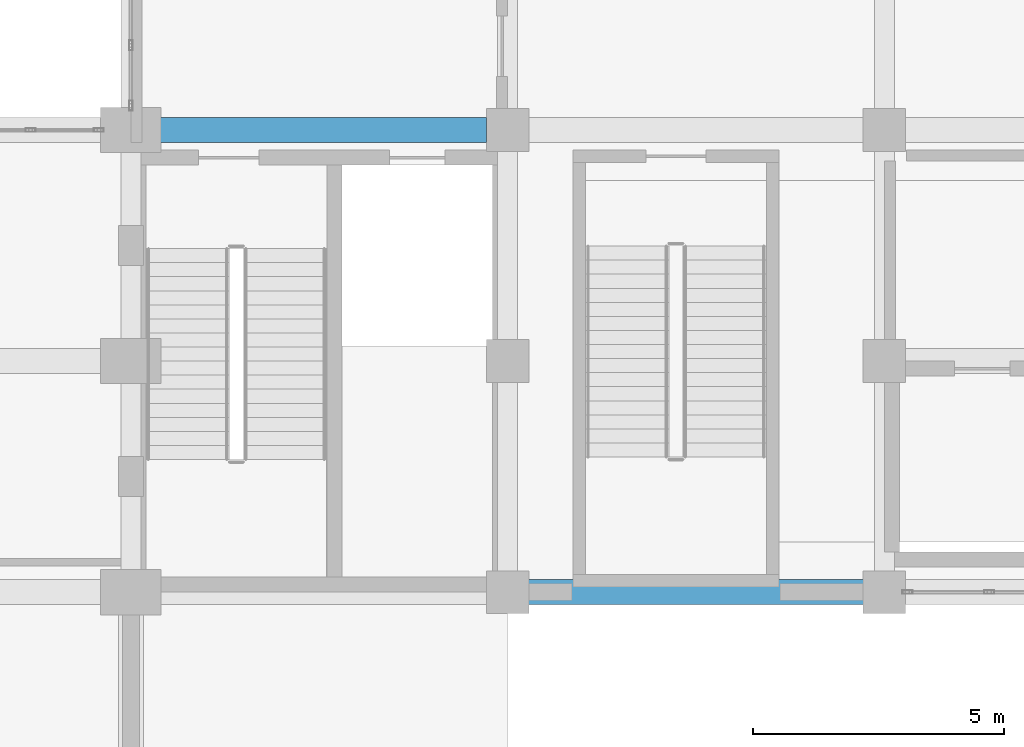
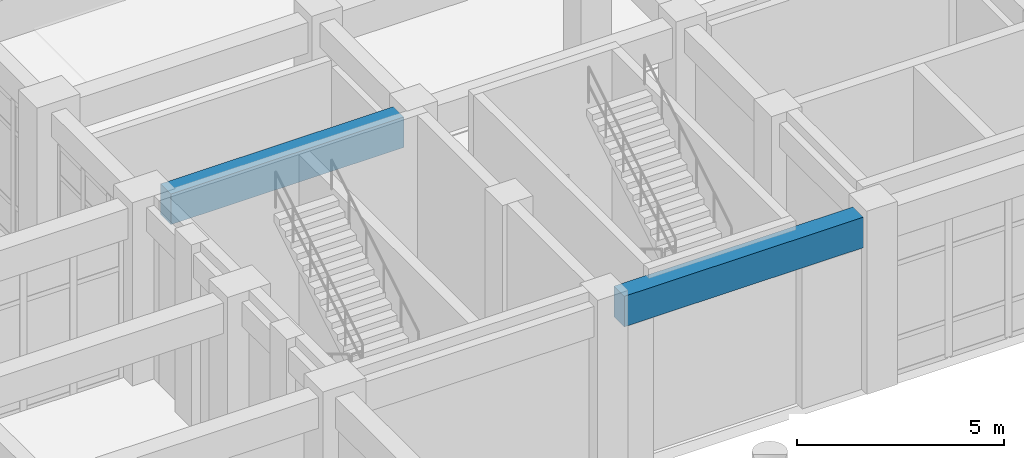
# One storey, part 12 of 84: 2 beams.
"""IFC4 building model written with IfcOpenShell, lengths in metres."""

from ifc_helpers import new_model, si_unit, direction, frame, origin, origin_2d, place, context, subcontext, project, spatial, rectangle, extrude, material, material_profile, profile_set, type_object, element, save


model = new_model("IFC4")

# Units and contexts
model_context = context("Model", 3, precision=1e-05, world=origin(), true_north=direction((0.0, 1.0)))
body_context = subcontext(model_context, "Body", "Model", "MODEL_VIEW")
ifc_project = project(units=[si_unit("LENGTHUNIT", "METRE"), si_unit("AREAUNIT", "SQUARE_METRE"), si_unit("VOLUMEUNIT", "CUBIC_METRE"), si_unit("PLANEANGLEUNIT", "RADIAN"), si_unit("MASSUNIT", "GRAM", prefix="KILO")], contexts=[model_context])

# Site, building, storey
site_placement = place(None, origin())
site = spatial("IfcSite", under=ifc_project, at=site_placement, CompositionType="ELEMENT")
building_placement = place(site_placement, origin())
building = spatial("IfcBuilding", under=site, at=building_placement, Name="Muzn Square Opera House", CompositionType="ELEMENT")
storey_placement = place(building_placement, origin())
storey = spatial("IfcBuildingStorey", under=building, at=storey_placement, Name="L00", CompositionType="ELEMENT", Elevation=0.0)

# Beams
ifc_material = material(Name="Concrete C40/50", Category="concrete")
ifc_material_profile = material_profile(ifc_material, rectangle(XDim=0.5, YDim=0.89990234375, at=origin_2d()), Name="RCB 500x900", Category="concrete")
ifc_profile_set = profile_set([ifc_material_profile], Name="Concrete C40/50")
beam_type = type_object("IfcBeamType", Name="Primary Girder 500x900", PredefinedType="BEAM", material=ifc_profile_set)
beam_1_placement = place(storey_placement, frame((50.9169921875, 22.0, 4.669921875), z_axis=(1.0, 0.0, 0.0), x_axis=(0.0, 1.0, 0.0)))
element("IfcBeam", 1, at=beam_1_placement, inside=storey, type_object=beam_type, Name="Primary Girder BM-L00-BM-PG900-509_220_576_220-760", PredefinedType="BEAM", context=body_context, shape_type="SweptSolid", body=[
    extrude(rectangle(XDim=0.5, YDim=0.89990234375, at=origin_2d()), origin(), (0.0, 0.0, 1.0), 6.666015625),
])
beam_2_placement = place(storey_placement, frame((43.592041015625, 31.199951171875, 4.669921875), z_axis=(1.0, 0.0, 0.0), x_axis=(0.0, 1.0, 0.0)))
element("IfcBeam", 2, at=beam_2_placement, inside=storey, type_object=beam_type, Name="Primary Girder BM-L00-BM-PG900-436_312_501_312-794", PredefinedType="BEAM", context=body_context, shape_type="SweptSolid", body=[
    extrude(rectangle(XDim=0.5, YDim=0.89990234375, at=origin_2d()), origin(), (0.0, 0.0, 1.0), 6.490966796875),
])

save(model, "model.ifc")
